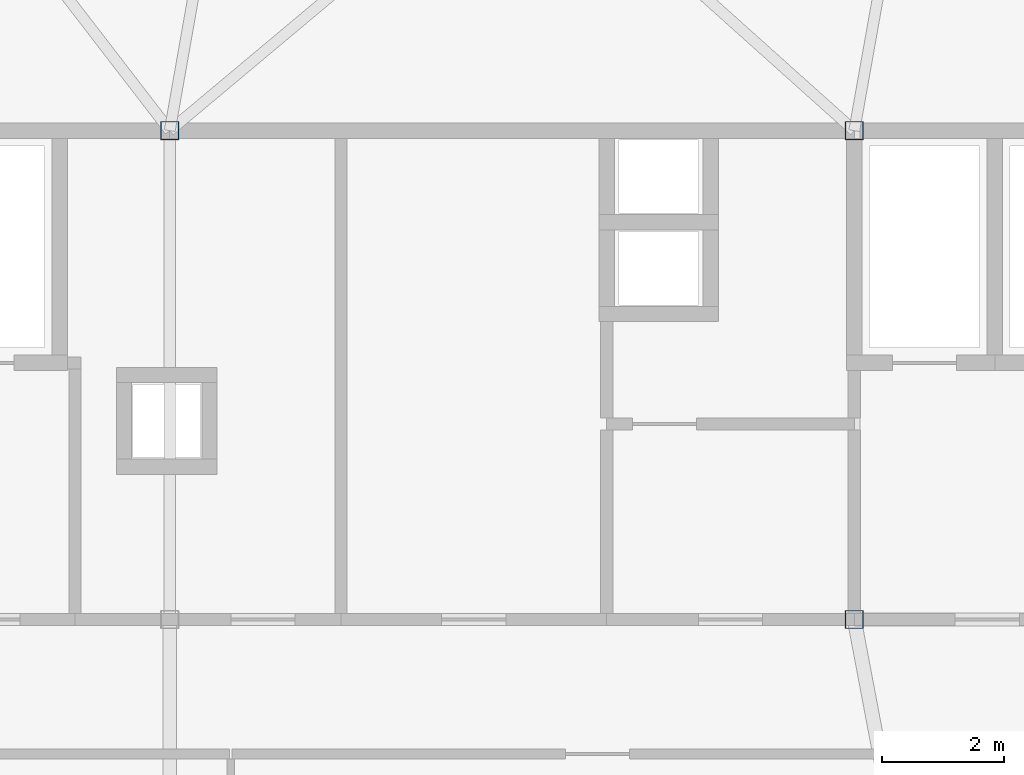
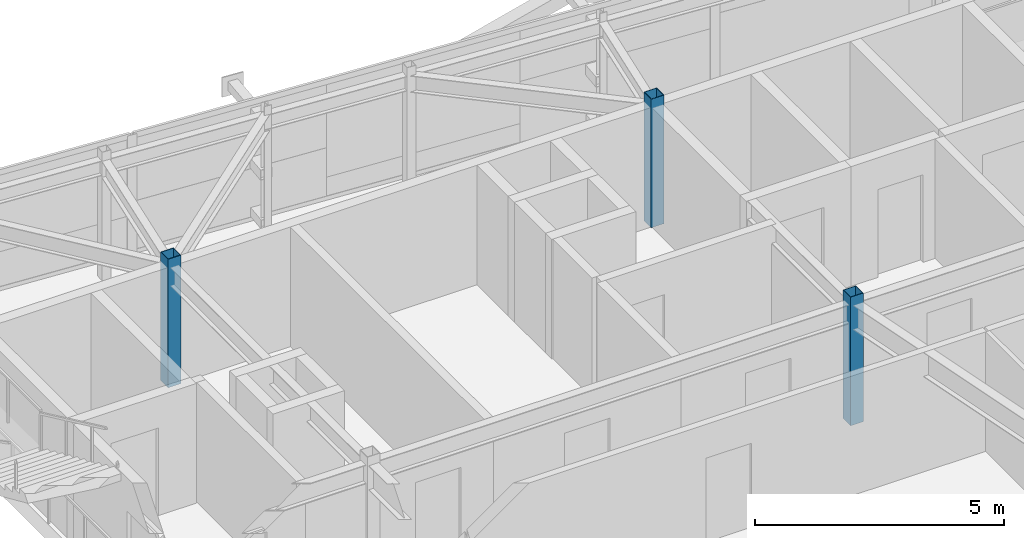
# One storey, part 4 of 37: 3 columns.
"""IFC4 building model written with IfcOpenShell, lengths in metres."""

import ifcopenshell
import ifcopenshell.guid

model = None  # the IFC model being written
_history = None  # IfcOwnerHistory: only IFC2X3 demands one
_inside = {}  # id of a spatial element -> (the spatial element, [elements in it])
_under = {}  # id of a project, library or spatial element -> (it, [spatial elements below it])
_declared = {}  # id of a project -> (the project, [libraries it declares])
_typed = {}  # id of a type object -> (the type object, [elements of that type])
_made_of = {}  # id of a material, layer set ... -> (it, [elements and type objects made of it])


def new_model(schema):
    """Start an empty IFC model of exactly this schema.

    Asked for "IFC4X3", IfcOpenShell would pick the latest addendum, in which some entities
    have other attributes; the version numbers below select the first issue.
    IFC2X3 requires an IfcOwnerHistory on every rooted entity: one is made here for all.
    """
    global model, _history
    if schema == "IFC4X3":
        model = ifcopenshell.file(schema_version=(4, 3, 0, 0))
    else:
        model = ifcopenshell.file(schema=schema)
    _inside.clear()
    _under.clear()
    _declared.clear()
    _typed.clear()
    _made_of.clear()
    _history = None
    if model.schema == "IFC2X3":
        org = make("IfcOrganization", Name="unknown")
        user = make(
            "IfcPersonAndOrganization",
            ThePerson=make("IfcPerson", FamilyName="unknown"),
            TheOrganization=org,
        )
        app = make(
            "IfcApplication",
            ApplicationDeveloper=org,
            Version="unknown",
            ApplicationFullName="unknown",
            ApplicationIdentifier="unknown",
        )
        _history = make(
            "IfcOwnerHistory",
            OwningUser=user,
            OwningApplication=app,
            ChangeAction="ADDED",
            CreationDate=0,
        )
    return model


def make(cls, **values):
    """One entity of the class cls with the attributes given. An attribute that is None is left unset."""
    return model.create_entity(
        cls, **{name: value for name, value in values.items() if value is not None}
    )


def rooted(cls, **values):
    """An entity with a GlobalId (a new one), such as an element, a storey or a relation."""
    return make(cls, GlobalId=ifcopenshell.guid.new(), OwnerHistory=_history, **values)


def si_unit(unit_type, name, prefix=None):
    """IfcSIUnit, for example si_unit("LENGTHUNIT", "METRE", prefix="MILLI")."""
    return make("IfcSIUnit", UnitType=unit_type, Prefix=prefix, Name=name)


def assignment(units):
    """IfcUnitAssignment: the units of a project."""
    return None if units is None else make("IfcUnitAssignment", Units=units)


def point(xyz):
    """IfcCartesianPoint."""
    return None if xyz is None else make("IfcCartesianPoint", Coordinates=xyz)


def direction(xyz):
    """IfcDirection."""
    return None if xyz is None else make("IfcDirection", DirectionRatios=xyz)


def frame(location, z_axis=None, x_axis=None):
    """IfcAxis2Placement3D, a coordinate frame: its origin and axes. An axis left out is left unset."""
    return make(
        "IfcAxis2Placement3D",
        Location=point(location),
        Axis=direction(z_axis),
        RefDirection=direction(x_axis),
    )


def frame_2d(location, x_axis=None):
    """IfcAxis2Placement2D, a coordinate frame in the plane: its origin and x axis."""
    return make(
        "IfcAxis2Placement2D", Location=point(location), RefDirection=direction(x_axis)
    )


def origin():
    """The frame at (0, 0, 0) with its axes left unset."""
    return frame((0.0, 0.0, 0.0))


def origin_2d():
    """The frame at (0, 0) in the plane with its x axis left unset."""
    return frame_2d((0.0, 0.0))


def place(relative_to, where):
    """IfcLocalPlacement: puts the frame where relative to a parent placement (None: the world)."""
    return make(
        "IfcLocalPlacement", PlacementRelTo=relative_to, RelativePlacement=where
    )


def context(
    kind, dimensions, precision=None, world=None, true_north=None, identifier=None
):
    """IfcGeometricRepresentationContext, for example the 3D "Model" context."""
    return make(
        "IfcGeometricRepresentationContext",
        ContextIdentifier=identifier,
        ContextType=kind,
        CoordinateSpaceDimension=dimensions,
        Precision=precision,
        WorldCoordinateSystem=world,
        TrueNorth=true_north,
    )


def subcontext(parent, identifier, kind, view, scale=None):
    """IfcGeometricRepresentationSubContext, for example "Body" below "Model"."""
    return make(
        "IfcGeometricRepresentationSubContext",
        ContextIdentifier=identifier,
        ContextType=kind,
        ParentContext=parent,
        TargetScale=scale,
        TargetView=view,
    )


def project(units=None, contexts=None):
    """IfcProject with its units and contexts."""
    return rooted(
        "IfcProject",
        Name="project",
        RepresentationContexts=contexts,
        UnitsInContext=assignment(units),
    )


def spatial(cls, under=None, at=None, **own):
    """A site, building, storey or space (cls), placed at a placement, below another one or the project."""
    s = rooted(cls, ObjectPlacement=at, **own)
    if under is not None:
        _under.setdefault(under.id(), (under, []))[1].append(s)
    return s


def profile(cls, at=None, kind="AREA", **sizes):
    """A parametric profile (cls). Its sizes go by their IFC names, for example OverallWidth=200.0."""
    return make(cls, ProfileType=kind, Position=at, **sizes)


def hollow_rectangle(**sizes):
    """IfcRectangleHollowProfileDef."""
    return profile("IfcRectangleHollowProfileDef", **sizes)


def extrude(swept, where, along, depth):
    """IfcExtrudedAreaSolid: the profile swept, set in the frame where, extruded along a direction by depth."""
    return make(
        "IfcExtrudedAreaSolid",
        SweptArea=swept,
        Position=where,
        ExtrudedDirection=direction(along),
        Depth=depth,
    )


def shape(context_of_items, identifier, shape_type, items):
    """IfcShapeRepresentation: the items that make up one representation, for example the "Body"."""
    return make(
        "IfcShapeRepresentation",
        ContextOfItems=context_of_items,
        RepresentationIdentifier=identifier,
        RepresentationType=shape_type,
        Items=items,
    )


def source(mapping_origin, context_of_items, identifier, shape_type, items):
    """IfcRepresentationMap: a shape defined once, which mapped items show again and again."""
    return make(
        "IfcRepresentationMap",
        MappingOrigin=mapping_origin,
        MappedRepresentation=shape(context_of_items, identifier, shape_type, items),
    )


def transform(
    local_origin,
    x_axis=None,
    y_axis=None,
    z_axis=None,
    scale=None,
    scale2=None,
    scale3=None,
    uniform=True,
):
    """IfcCartesianTransformationOperator3D, or its non-uniform kind. x_axis, y_axis, z_axis: its Axis1, 2, 3."""
    if uniform:
        return make(
            "IfcCartesianTransformationOperator3D",
            Axis1=direction(x_axis),
            Axis2=direction(y_axis),
            LocalOrigin=point(local_origin),
            Scale=scale,
            Axis3=direction(z_axis),
        )
    return make(
        "IfcCartesianTransformationOperator3DnonUniform",
        Axis1=direction(x_axis),
        Axis2=direction(y_axis),
        LocalOrigin=point(local_origin),
        Scale=scale,
        Axis3=direction(z_axis),
        Scale2=scale2,
        Scale3=scale3,
    )


def mapped(mapping_source, mapping_target):
    """IfcMappedItem: shows the shape of a source again, moved by a transform."""
    return make(
        "IfcMappedItem", MappingSource=mapping_source, MappingTarget=mapping_target
    )


def material(Name=None, Category=None):
    """IfcMaterial."""
    return make("IfcMaterial", Name=Name, Category=Category)


def material_profile(
    of_material, cross_section, Name=None, Category=None, Priority=None
):
    """IfcMaterialProfile: a cross section and its material."""
    return make(
        "IfcMaterialProfile",
        Name=Name,
        Material=of_material,
        Profile=cross_section,
        Priority=Priority,
        Category=Category,
    )


def profile_set(profiles, Name=None, composite=None):
    """IfcMaterialProfileSet."""
    return make(
        "IfcMaterialProfileSet",
        Name=Name,
        MaterialProfiles=profiles,
        CompositeProfile=composite,
    )


def made_of(thing, what):
    """Note that an element or type object is made of a material, layer set ...; save() writes the relation."""
    if what is not None:
        _made_of.setdefault(what.id(), (what, []))[1].append(thing)
    return thing


def type_object(cls, material=None, **own):
    """A type object (cls), such as IfcWallType, which elements share."""
    return made_of(rooted(cls, **own), material)


def element(
    cls,
    number,
    at=None,
    inside=None,
    cuts=None,
    type_object=None,
    material=None,
    context=None,
    identifier="Body",
    shape_type=None,
    held_by="IfcProductDefinitionShape",
    body=None,
    shapes=None,
    **own,
):
    """One element of the class cls, such as IfcWall. Its Tag is "e" and its number.

    at: its placement. inside: the storey or other place that contains it. cuts: it is an
    opening in that element (IfcRelVoidsElement). A single representation is given by context,
    identifier, shape_type and body (its items); several are given by shapes. held_by: the class
    of the entity that holds the representations. save() writes the other relations.
    """
    e = rooted(cls, Tag="e%d" % number, ObjectPlacement=at, **own)
    if body is not None:
        shapes = [shape(context, identifier, shape_type, body)]
    if shapes is not None:
        e.Representation = make(held_by, Representations=shapes)
    if inside is not None:
        _inside.setdefault(inside.id(), (inside, []))[1].append(e)
    if cuts is not None:
        rooted(
            "IfcRelVoidsElement", RelatingBuildingElement=cuts, RelatedOpeningElement=e
        )
    if type_object is not None:
        _typed.setdefault(type_object.id(), (type_object, []))[1].append(e)
    return made_of(e, material)


def aggregate(whole, parts):
    """IfcRelAggregates: a whole, such as a stair, and the parts it consists of."""
    return rooted("IfcRelAggregates", RelatingObject=whole, RelatedObjects=parts)


def save(model, path):
    """Write the relations noted so far, then the file.

    IfcRelAggregates (storeys below a building ...), IfcRelContainedInSpatialStructure (elements
    in a storey), IfcRelDefinesByType, IfcRelAssociatesMaterial and IfcRelDeclares: one each for
    every whole, place, type object, material and project.
    """
    for whole, parts in _under.values():
        aggregate(whole, parts)
    for where, things in _inside.values():
        rooted(
            "IfcRelContainedInSpatialStructure",
            RelatedElements=things,
            RelatingStructure=where,
        )
    for kind, things in _typed.values():
        rooted("IfcRelDefinesByType", RelatedObjects=things, RelatingType=kind)
    for what, things in _made_of.values():
        rooted("IfcRelAssociatesMaterial", RelatedObjects=things, RelatingMaterial=what)
    for by, libraries in _declared.values():
        rooted("IfcRelDeclares", RelatingContext=by, RelatedDefinitions=libraries)
    model.write(path)


model = new_model("IFC4")

# Units and contexts
model_context = context("Model", 3, precision=1e-05, world=origin(), true_north=direction((0.0, 1.0)))
body_context = subcontext(model_context, "Body", "Model", "MODEL_VIEW")
ifc_project = project(units=[si_unit("LENGTHUNIT", "METRE"), si_unit("AREAUNIT", "SQUARE_METRE"), si_unit("VOLUMEUNIT", "CUBIC_METRE"), si_unit("PLANEANGLEUNIT", "RADIAN"), si_unit("MASSUNIT", "GRAM", prefix="KILO")], contexts=[model_context])

# Site, building, storey
site_placement = place(None, origin())
site = spatial("IfcSite", under=ifc_project, at=site_placement, CompositionType="ELEMENT")
building_placement = place(site_placement, origin())
building = spatial("IfcBuilding", under=site, at=building_placement, Name="Taldren Reach Tower", CompositionType="ELEMENT")
storey_placement = place(building_placement, frame((0.0, 0.0, 211.39990234375)))
storey = spatial("IfcBuildingStorey", under=building, at=storey_placement, Name="L64", CompositionType="ELEMENT", Elevation=211.39990234375)

# Columns
ifc_material = material(Name="Steel Gr 450 (C450L0)", Category="steel")
ifc_material_profile = material_profile(ifc_material, hollow_rectangle(XDim=0.300048828125, YDim=0.300048828125, WallThickness=0.012451171875, at=origin_2d()), Name="300x300x12.5SHS")
ifc_profile_set = profile_set([ifc_material_profile], Name="Steel Gr 450 (C450L0)")
column_type = type_object("IfcColumnType", Name="COL-SHS300", PredefinedType="COLUMN", material=ifc_profile_set)
shared_shape = source(origin(), body_context, "Body", "SweptSolid", [
    extrude(hollow_rectangle(XDim=0.300048828125, YDim=0.300048828125, WallThickness=0.012451171875, at=origin_2d()), origin(), (0.0, 0.0, 1.0), 3.150146484375),
])
for number, where, z_axis, x_axis, name in (
    (1, (39.199951171875, 24.0, 0.0), (0.0, 0.0, 1.0), (1.0, 0.0, 0.0), "Mega column MC-C3 L64"),
    (2, (28.0, 32.0, 0.0), (0.0, 0.0, 1.0), (1.0, 0.0, 0.0), "Mega column MC-C6 L64"),
    (3, (39.199951171875, 32.0, 0.0), (0.0, 0.0, 1.0), (1.0, 0.0, 0.0), "Mega column MC-C7 L64"),
):
    element("IfcColumn", number, at=place(storey_placement, frame(where, z_axis=z_axis, x_axis=x_axis)), inside=storey, type_object=column_type, Name=name, PredefinedType="COLUMN", context=body_context, shape_type="MappedRepresentation", body=[
        mapped(shared_shape, transform((0.0, 0.0, 0.0), scale=1.0)),
    ])

save(model, "model.ifc")
